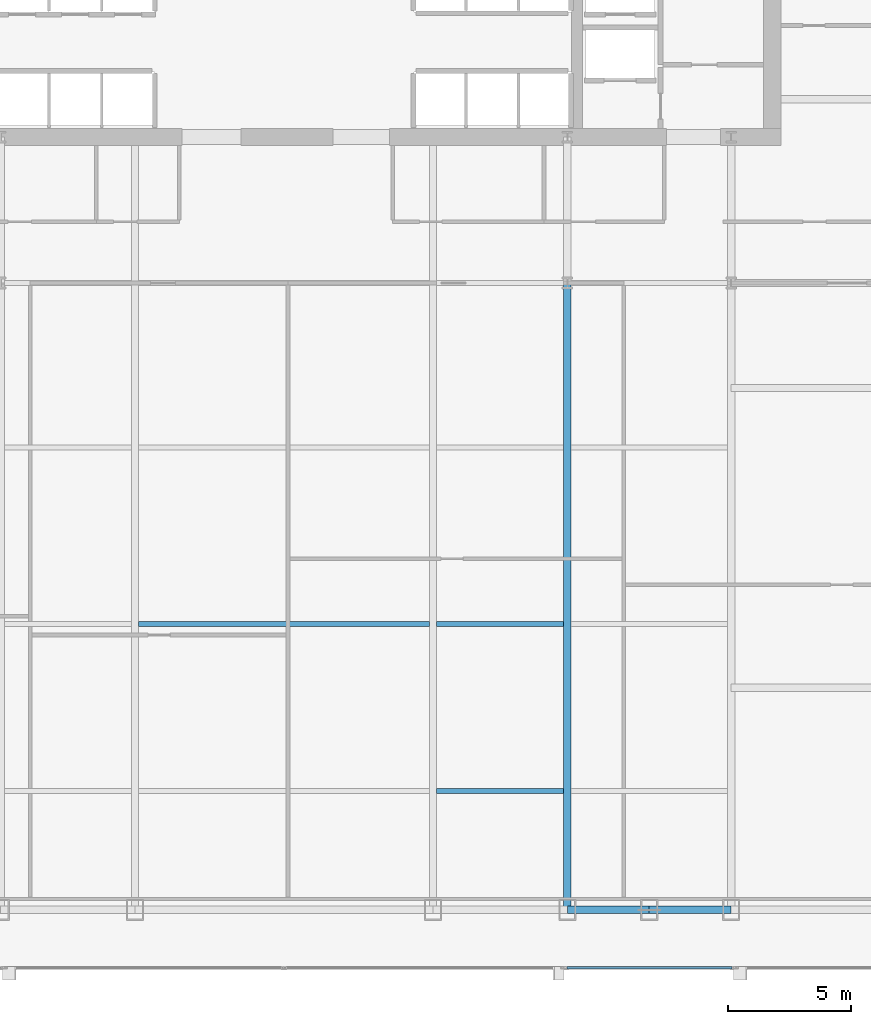
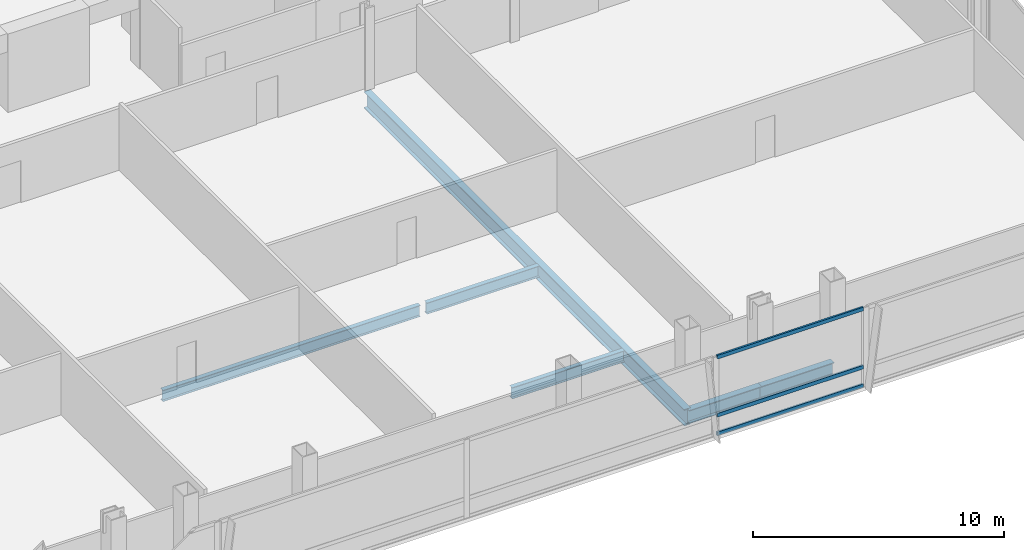
# One storey, part 14 of 30: 6 beams, 3 members, 1 element without a shape of its own.
"""IFC4 building model written with IfcOpenShell, lengths in metres."""

import ifcopenshell
import ifcopenshell.guid

model = None  # the IFC model being written
_history = None  # IfcOwnerHistory: only IFC2X3 demands one
_inside = {}  # id of a spatial element -> (the spatial element, [elements in it])
_under = {}  # id of a project, library or spatial element -> (it, [spatial elements below it])
_declared = {}  # id of a project -> (the project, [libraries it declares])
_typed = {}  # id of a type object -> (the type object, [elements of that type])
_made_of = {}  # id of a material, layer set ... -> (it, [elements and type objects made of it])


def new_model(schema):
    """Start an empty IFC model of exactly this schema.

    Asked for "IFC4X3", IfcOpenShell would pick the latest addendum, in which some entities
    have other attributes; the version numbers below select the first issue.
    IFC2X3 requires an IfcOwnerHistory on every rooted entity: one is made here for all.
    """
    global model, _history
    if schema == "IFC4X3":
        model = ifcopenshell.file(schema_version=(4, 3, 0, 0))
    else:
        model = ifcopenshell.file(schema=schema)
    _inside.clear()
    _under.clear()
    _declared.clear()
    _typed.clear()
    _made_of.clear()
    _history = None
    if model.schema == "IFC2X3":
        org = make("IfcOrganization", Name="unknown")
        user = make(
            "IfcPersonAndOrganization",
            ThePerson=make("IfcPerson", FamilyName="unknown"),
            TheOrganization=org,
        )
        app = make(
            "IfcApplication",
            ApplicationDeveloper=org,
            Version="unknown",
            ApplicationFullName="unknown",
            ApplicationIdentifier="unknown",
        )
        _history = make(
            "IfcOwnerHistory",
            OwningUser=user,
            OwningApplication=app,
            ChangeAction="ADDED",
            CreationDate=0,
        )
    return model


def make(cls, **values):
    """One entity of the class cls with the attributes given. An attribute that is None is left unset."""
    return model.create_entity(
        cls, **{name: value for name, value in values.items() if value is not None}
    )


def rooted(cls, **values):
    """An entity with a GlobalId (a new one), such as an element, a storey or a relation."""
    return make(cls, GlobalId=ifcopenshell.guid.new(), OwnerHistory=_history, **values)


def si_unit(unit_type, name, prefix=None):
    """IfcSIUnit, for example si_unit("LENGTHUNIT", "METRE", prefix="MILLI")."""
    return make("IfcSIUnit", UnitType=unit_type, Prefix=prefix, Name=name)


def assignment(units):
    """IfcUnitAssignment: the units of a project."""
    return None if units is None else make("IfcUnitAssignment", Units=units)


def point(xyz):
    """IfcCartesianPoint."""
    return None if xyz is None else make("IfcCartesianPoint", Coordinates=xyz)


def direction(xyz):
    """IfcDirection."""
    return None if xyz is None else make("IfcDirection", DirectionRatios=xyz)


def frame(location, z_axis=None, x_axis=None):
    """IfcAxis2Placement3D, a coordinate frame: its origin and axes. An axis left out is left unset."""
    return make(
        "IfcAxis2Placement3D",
        Location=point(location),
        Axis=direction(z_axis),
        RefDirection=direction(x_axis),
    )


def frame_2d(location, x_axis=None):
    """IfcAxis2Placement2D, a coordinate frame in the plane: its origin and x axis."""
    return make(
        "IfcAxis2Placement2D", Location=point(location), RefDirection=direction(x_axis)
    )


def origin():
    """The frame at (0, 0, 0) with its axes left unset."""
    return frame((0.0, 0.0, 0.0))


def origin_2d():
    """The frame at (0, 0) in the plane with its x axis left unset."""
    return frame_2d((0.0, 0.0))


def place(relative_to, where):
    """IfcLocalPlacement: puts the frame where relative to a parent placement (None: the world)."""
    return make(
        "IfcLocalPlacement", PlacementRelTo=relative_to, RelativePlacement=where
    )


def context(
    kind, dimensions, precision=None, world=None, true_north=None, identifier=None
):
    """IfcGeometricRepresentationContext, for example the 3D "Model" context."""
    return make(
        "IfcGeometricRepresentationContext",
        ContextIdentifier=identifier,
        ContextType=kind,
        CoordinateSpaceDimension=dimensions,
        Precision=precision,
        WorldCoordinateSystem=world,
        TrueNorth=true_north,
    )


def subcontext(parent, identifier, kind, view, scale=None):
    """IfcGeometricRepresentationSubContext, for example "Body" below "Model"."""
    return make(
        "IfcGeometricRepresentationSubContext",
        ContextIdentifier=identifier,
        ContextType=kind,
        ParentContext=parent,
        TargetScale=scale,
        TargetView=view,
    )


def project(units=None, contexts=None):
    """IfcProject with its units and contexts."""
    return rooted(
        "IfcProject",
        Name="project",
        RepresentationContexts=contexts,
        UnitsInContext=assignment(units),
    )


def spatial(cls, under=None, at=None, **own):
    """A site, building, storey or space (cls), placed at a placement, below another one or the project."""
    s = rooted(cls, ObjectPlacement=at, **own)
    if under is not None:
        _under.setdefault(under.id(), (under, []))[1].append(s)
    return s


def profile(cls, at=None, kind="AREA", **sizes):
    """A parametric profile (cls). Its sizes go by their IFC names, for example OverallWidth=200.0."""
    return make(cls, ProfileType=kind, Position=at, **sizes)


def hollow_rectangle(**sizes):
    """IfcRectangleHollowProfileDef."""
    return profile("IfcRectangleHollowProfileDef", **sizes)


def i_section(**sizes):
    """IfcIShapeProfileDef."""
    return profile("IfcIShapeProfileDef", **sizes)


def extrude(swept, where, along, depth):
    """IfcExtrudedAreaSolid: the profile swept, set in the frame where, extruded along a direction by depth."""
    return make(
        "IfcExtrudedAreaSolid",
        SweptArea=swept,
        Position=where,
        ExtrudedDirection=direction(along),
        Depth=depth,
    )


def shape(context_of_items, identifier, shape_type, items):
    """IfcShapeRepresentation: the items that make up one representation, for example the "Body"."""
    return make(
        "IfcShapeRepresentation",
        ContextOfItems=context_of_items,
        RepresentationIdentifier=identifier,
        RepresentationType=shape_type,
        Items=items,
    )


def material(Name=None, Category=None):
    """IfcMaterial."""
    return make("IfcMaterial", Name=Name, Category=Category)


def material_profile(
    of_material, cross_section, Name=None, Category=None, Priority=None
):
    """IfcMaterialProfile: a cross section and its material."""
    return make(
        "IfcMaterialProfile",
        Name=Name,
        Material=of_material,
        Profile=cross_section,
        Priority=Priority,
        Category=Category,
    )


def profile_set(profiles, Name=None, composite=None):
    """IfcMaterialProfileSet."""
    return make(
        "IfcMaterialProfileSet",
        Name=Name,
        MaterialProfiles=profiles,
        CompositeProfile=composite,
    )


def made_of(thing, what):
    """Note that an element or type object is made of a material, layer set ...; save() writes the relation."""
    if what is not None:
        _made_of.setdefault(what.id(), (what, []))[1].append(thing)
    return thing


def type_object(cls, material=None, **own):
    """A type object (cls), such as IfcWallType, which elements share."""
    return made_of(rooted(cls, **own), material)


def element(
    cls,
    number,
    at=None,
    inside=None,
    cuts=None,
    type_object=None,
    material=None,
    context=None,
    identifier="Body",
    shape_type=None,
    held_by="IfcProductDefinitionShape",
    body=None,
    shapes=None,
    **own,
):
    """One element of the class cls, such as IfcWall. Its Tag is "e" and its number.

    at: its placement. inside: the storey or other place that contains it. cuts: it is an
    opening in that element (IfcRelVoidsElement). A single representation is given by context,
    identifier, shape_type and body (its items); several are given by shapes. held_by: the class
    of the entity that holds the representations. save() writes the other relations.
    """
    e = rooted(cls, Tag="e%d" % number, ObjectPlacement=at, **own)
    if body is not None:
        shapes = [shape(context, identifier, shape_type, body)]
    if shapes is not None:
        e.Representation = make(held_by, Representations=shapes)
    if inside is not None:
        _inside.setdefault(inside.id(), (inside, []))[1].append(e)
    if cuts is not None:
        rooted(
            "IfcRelVoidsElement", RelatingBuildingElement=cuts, RelatedOpeningElement=e
        )
    if type_object is not None:
        _typed.setdefault(type_object.id(), (type_object, []))[1].append(e)
    return made_of(e, material)


def aggregate(whole, parts):
    """IfcRelAggregates: a whole, such as a stair, and the parts it consists of."""
    return rooted("IfcRelAggregates", RelatingObject=whole, RelatedObjects=parts)


def save(model, path):
    """Write the relations noted so far, then the file.

    IfcRelAggregates (storeys below a building ...), IfcRelContainedInSpatialStructure (elements
    in a storey), IfcRelDefinesByType, IfcRelAssociatesMaterial and IfcRelDeclares: one each for
    every whole, place, type object, material and project.
    """
    for whole, parts in _under.values():
        aggregate(whole, parts)
    for where, things in _inside.values():
        rooted(
            "IfcRelContainedInSpatialStructure",
            RelatedElements=things,
            RelatingStructure=where,
        )
    for kind, things in _typed.values():
        rooted("IfcRelDefinesByType", RelatedObjects=things, RelatingType=kind)
    for what, things in _made_of.values():
        rooted("IfcRelAssociatesMaterial", RelatedObjects=things, RelatingMaterial=what)
    for by, libraries in _declared.values():
        rooted("IfcRelDeclares", RelatingContext=by, RelatedDefinitions=libraries)
    model.write(path)


model = new_model("IFC4")

# Units and contexts
model_context = context("Model", 3, precision=1e-05, world=origin(), true_north=direction((0.0, 1.0)))
body_context = subcontext(model_context, "Body", "Model", "MODEL_VIEW")
ifc_project = project(units=[si_unit("LENGTHUNIT", "METRE"), si_unit("AREAUNIT", "SQUARE_METRE"), si_unit("VOLUMEUNIT", "CUBIC_METRE"), si_unit("PLANEANGLEUNIT", "RADIAN"), si_unit("MASSUNIT", "GRAM", prefix="KILO")], contexts=[model_context])

# Site, building, storey
site_placement = place(None, origin())
site = spatial("IfcSite", under=ifc_project, at=site_placement, CompositionType="ELEMENT")
building_placement = place(site_placement, origin())
building = spatial("IfcBuilding", under=site, at=building_placement, Name="Khoronbel Lancet Exchange", CompositionType="ELEMENT")
storey_placement = place(building_placement, frame((0.0, 0.0, 90.60009765625)))
storey = spatial("IfcBuildingStorey", under=building, at=storey_placement, Name="L21", CompositionType="ELEMENT", Elevation=90.60009765625)

# Beams
ifc_material_1 = material(Name="Steel S355", Category="steel")
ifc_material_profile_1 = material_profile(ifc_material_1, i_section(OverallWidth=0.300048828125, OverallDepth=0.800048828125, WebThickness=0.017578125, FlangeThickness=0.032958984375, at=origin_2d()), Name="HEB 800")
ifc_profile_set_1 = profile_set([ifc_material_profile_1], Name="Steel S355")
beam_type_1 = type_object("IfcBeamType", Name="BM-BG2", PredefinedType="BEAM", material=ifc_profile_set_1)
beam_1_placement = place(storey_placement, frame((48.0, 10.14990234375, -0.580078125), z_axis=(0.0, 1.0, 0.0), x_axis=(-1.0, 0.0, 0.0)))
element("IfcBeam", 1, at=beam_1_placement, inside=storey, type_object=beam_type_1, Name="Level L21 south primary girder GS5", PredefinedType="BEAM", context=body_context, shape_type="SweptSolid", body=[
    extrude(i_section(OverallWidth=0.300048828125, OverallDepth=0.800048828125, WebThickness=0.017578125, FlangeThickness=0.032958984375, at=origin_2d()), origin(), (0.0, 0.0, 1.0), 25.550048828125),
])
ifc_material_profile_2 = material_profile(ifc_material_1, i_section(OverallWidth=0.2099609375, OverallDepth=0.550048828125, WebThickness=0.010986328125, FlangeThickness=0.01708984375, at=origin_2d()), Name="IPE 550")
ifc_profile_set_2 = profile_set([ifc_material_profile_2], Name="Steel S355")
beam_type_2 = type_object("IfcBeamType", Name="BM-BJ2", PredefinedType="JOIST", material=ifc_profile_set_2)
beam_2_placement = place(storey_placement, frame((42.675048828125, 15.0, -0.455078125), z_axis=(1.0, 0.0, 0.0), x_axis=(0.0, 1.0, 0.0)))
element("IfcBeam", 2, at=beam_2_placement, inside=storey, type_object=beam_type_2, Name="Level L21 secondary composite joist J04", PredefinedType="JOIST", context=body_context, shape_type="SweptSolid", body=[
    extrude(i_section(OverallWidth=0.2099609375, OverallDepth=0.550048828125, WebThickness=0.010986328125, FlangeThickness=0.01708984375, at=origin_2d()), origin(), (0.0, 0.0, 1.0), 5.175048828125),
])
beam_3_placement = place(storey_placement, frame((30.52490234375, 21.800048828125, -0.455078125), z_axis=(1.0, 0.0, 0.0), x_axis=(0.0, 1.0, 0.0)))
element("IfcBeam", 3, at=beam_3_placement, inside=storey, type_object=beam_type_2, Name="Level L21 secondary composite joist J08", PredefinedType="JOIST", context=body_context, shape_type="SweptSolid", body=[
    extrude(i_section(OverallWidth=0.2099609375, OverallDepth=0.550048828125, WebThickness=0.010986328125, FlangeThickness=0.01708984375, at=origin_2d()), origin(), (0.0, 0.0, 1.0), 11.85009765625),
])
beam_4_placement = place(storey_placement, frame((42.675048828125, 21.800048828125, -0.455078125), z_axis=(1.0, 0.0, 0.0), x_axis=(0.0, 1.0, 0.0)))
element("IfcBeam", 4, at=beam_4_placement, inside=storey, type_object=beam_type_2, Name="Level L21 secondary composite joist J09", PredefinedType="JOIST", context=body_context, shape_type="SweptSolid", body=[
    extrude(i_section(OverallWidth=0.2099609375, OverallDepth=0.550048828125, WebThickness=0.010986328125, FlangeThickness=0.01708984375, at=origin_2d()), origin(), (0.0, 0.0, 1.0), 5.175048828125),
])
ifc_material_profile_3 = material_profile(ifc_material_1, i_section(OverallWidth=0.300048828125, OverallDepth=0.64990234375, WebThickness=0.01611328125, FlangeThickness=0.031005859375, at=origin_2d()), Name="HEB 650")
ifc_profile_set_3 = profile_set([ifc_material_profile_3], Name="Steel S355")
beam_type_3 = type_object("IfcBeamType", Name="BM-BSP1", PredefinedType="SPANDREL", material=ifc_profile_set_3)
beam_5_placement = place(storey_placement, frame((48.0, 10.14990234375, -0.505126953125), z_axis=(1.0, 0.0, 0.0), x_axis=(0.0, 1.0, 0.0)))
element("IfcBeam", 5, at=beam_5_placement, inside=storey, type_object=beam_type_3, Name="Level L21 perimeter spandrel beam SP07", PredefinedType="SPANDREL", context=body_context, shape_type="SweptSolid", body=[
    extrude(i_section(OverallWidth=0.300048828125, OverallDepth=0.64990234375, WebThickness=0.01611328125, FlangeThickness=0.031005859375, at=origin_2d()), origin(), (0.0, 0.0, 1.0), 3.33740234375),
])
beam_6_placement = place(storey_placement, frame((51.33740234375, 10.14990234375, -0.505126953125), z_axis=(1.0, 0.0, 0.0), x_axis=(0.0, 1.0, 0.0)))
element("IfcBeam", 6, at=beam_6_placement, inside=storey, type_object=beam_type_3, Name="Level L21 perimeter spandrel beam SP08", PredefinedType="SPANDREL", context=body_context, shape_type="SweptSolid", body=[
    extrude(i_section(OverallWidth=0.300048828125, OverallDepth=0.64990234375, WebThickness=0.01611328125, FlangeThickness=0.031005859375, at=origin_2d()), origin(), (0.0, 0.0, 1.0), 3.337646484375),
])

# Curtain wall, members
ifc_material_2 = material(Name="Low-E Solar Control Insulating Glass", Category="glass")
curtain_wall_type = type_object("IfcCurtainWallType", Name="CW-2", PredefinedType="NOTDEFINED", material=ifc_material_2)
curtain_wall_placement = place(storey_placement, origin())
curtain_wall = element("IfcCurtainWall", 7, at=curtain_wall_placement, inside=storey, type_object=curtain_wall_type, Name="Unitised curtain wall CW-L21-SEB", PredefinedType="NOTDEFINED")
ifc_material_3 = material(Name="Bronze-Anodised Aluminium 6063-T6", Category="aluminium")
ifc_material_profile_4 = material_profile(ifc_material_3, hollow_rectangle(XDim=0.0849609375, YDim=0.179931640625, WallThickness=0.0048828125, at=origin_2d()), Name="ALU TRANSOM 85x180")
ifc_profile_set_4 = profile_set([ifc_material_profile_4], Name="Bronze-Anodised Aluminium 6063-T6")
member_type = type_object("IfcMemberType", Name="MEM-CWT1", PredefinedType="USERDEFINED", material=ifc_profile_set_4)
member_1_placement = place(storey_placement, frame((47.985107421875, 7.7900390625, 0.04248046875), z_axis=(1.0, 0.0, 0.0), x_axis=(0.0, 1.0, 0.0)))
member_1 = element("IfcMember", 8, at=member_1_placement, type_object=member_type, Name="CW2 transom 1.1", ObjectType="TRANSOM", PredefinedType="USERDEFINED", context=body_context, shape_type="SweptSolid", body=[
    extrude(hollow_rectangle(XDim=0.0849609375, YDim=0.179931640625, WallThickness=0.0048828125, at=origin_2d()), origin(), (0.0, 0.0, 1.0), 6.72998046875),
])
member_2_placement = place(storey_placement, frame((47.985107421875, 7.7900390625, 0.949951171875), z_axis=(1.0, 0.0, 0.0), x_axis=(0.0, 1.0, 0.0)))
member_2 = element("IfcMember", 9, at=member_2_placement, type_object=member_type, Name="CW2 transom 1.2", ObjectType="TRANSOM", PredefinedType="USERDEFINED", context=body_context, shape_type="SweptSolid", body=[
    extrude(hollow_rectangle(XDim=0.0849609375, YDim=0.179931640625, WallThickness=0.0048828125, at=origin_2d()), origin(), (0.0, 0.0, 1.0), 6.72998046875),
])
member_3_placement = place(storey_placement, frame((47.985107421875, 7.7900390625, 3.77734375), z_axis=(1.0, 0.0, 0.0), x_axis=(0.0, 1.0, 0.0)))
member_3 = element("IfcMember", 10, at=member_3_placement, type_object=member_type, Name="CW2 transom 1.3", ObjectType="TRANSOM", PredefinedType="USERDEFINED", context=body_context, shape_type="SweptSolid", body=[
    extrude(hollow_rectangle(XDim=0.0849609375, YDim=0.179931640625, WallThickness=0.0048828125, at=origin_2d()), origin(), (0.0, 0.0, 1.0), 6.72998046875),
])
aggregate(curtain_wall, [member_1, member_2, member_3])

save(model, "model.ifc")
